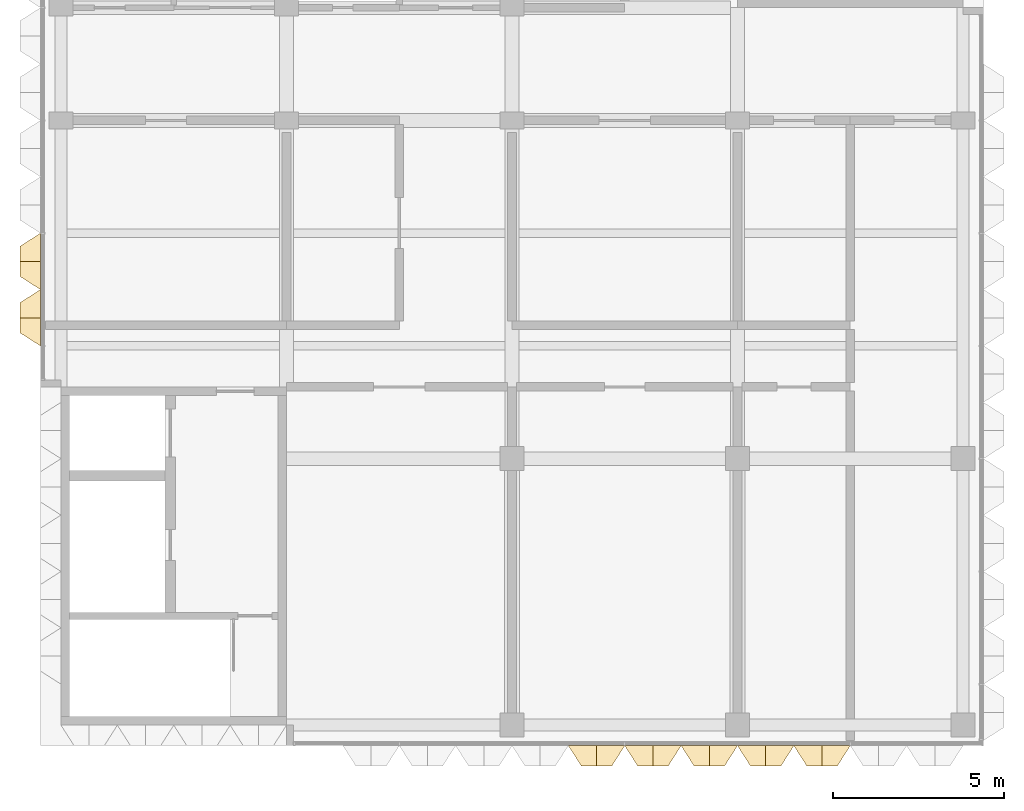
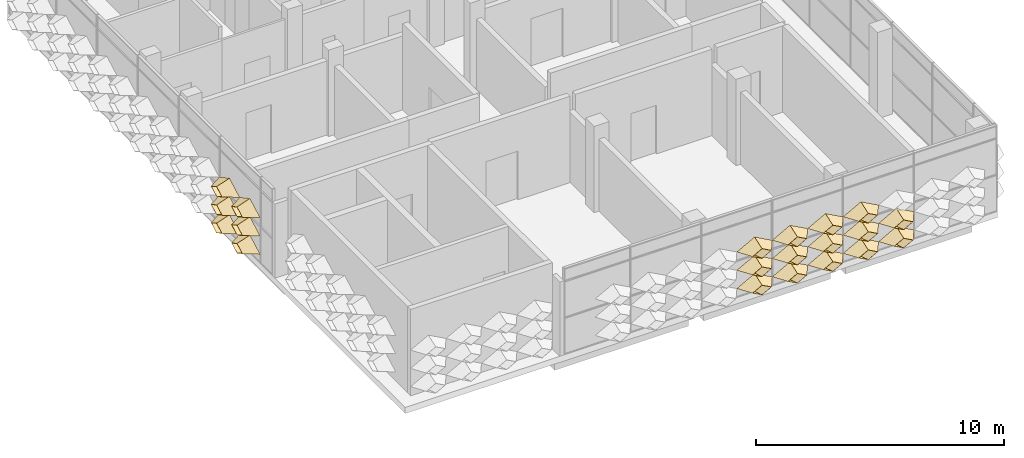
# One storey, part 13 of 21: 20 coverings.
"""IFC4 building model written with IfcOpenShell, lengths in metres."""

from ifc_helpers import new_model, entity, si_unit, direction, frame, origin, place, context, subcontext, project, spatial, material, layer, layer_set, type_object, element, save


model = new_model("IFC4")

# Units and contexts
model_context = context("Model", 3, precision=1e-05, world=origin(), true_north=direction((0.0, 1.0)))
body_context = subcontext(model_context, "Body", "Model", "MODEL_VIEW")
ifc_project = project(units=[si_unit("LENGTHUNIT", "METRE"), si_unit("AREAUNIT", "SQUARE_METRE"), si_unit("VOLUMEUNIT", "CUBIC_METRE"), si_unit("PLANEANGLEUNIT", "RADIAN"), si_unit("MASSUNIT", "GRAM", prefix="KILO")], contexts=[model_context])

# Site, building, storey
site_placement = place(None, origin())
site = spatial("IfcSite", under=ifc_project, at=site_placement, CompositionType="ELEMENT")
building_placement = place(site_placement, origin())
building = spatial("IfcBuilding", under=site, at=building_placement, Name="Lantern Court Research Institute", CompositionType="ELEMENT")
storey_placement = place(building_placement, frame((0.0, 0.0, 41.39990234375)))
storey = spatial("IfcBuildingStorey", under=building, at=storey_placement, Name="L09", CompositionType="ELEMENT", Elevation=41.39990234375)

# Coverings
ifc_material = material(Name="Anodised aluminium", Category="aluminium")
ifc_layer = layer(ifc_material, 0.01611328125)
ifc_layer_set = layer_set([ifc_layer], Name="Anodised aluminium")
covering_type = type_object("IfcCoveringType", Name="Fin cassette 1650 x 900 x 600 aluminium", PredefinedType="CLADDING", material=ifc_layer_set)
covering_1_placement = place(storey_placement, frame((68.47509765625, -8.39990234375, 0.4501953125), z_axis=(0.0, -1.0, 0.0), x_axis=(1.0, 0.0, 0.0)))
cartesian_point_1 = entity("IfcCartesianPoint", [0.824951171875, 0.0])
cartesian_point_2 = entity("IfcCartesianPoint", [0.79150390625, 0.0])
cartesian_point_3 = entity("IfcCartesianPoint", [0.44189453125, 0.0])
cartesian_point_4 = entity("IfcCartesianPoint", [0.43359375, 0.0])
element("IfcCovering", 1, at=covering_1_placement, inside=storey, type_object=covering_type, Name="Fin cassette V5S-L09 1.42", PredefinedType="CLADDING", context=body_context, shape_type="SweptSolid", body=[
    entity("IfcExtrudedAreaSolidTapered", entity("IfcArbitraryProfileDefWithVoids", "AREA", None, entity("IfcPolyline", [cartesian_point_1, entity("IfcCartesianPoint", [0.0, 0.449951171875]), entity("IfcCartesianPoint", [-0.824951171875, 0.0]), entity("IfcCartesianPoint", [0.0, -0.449951171875]), cartesian_point_1]), [entity("IfcPolyline", [cartesian_point_2, entity("IfcCartesianPoint", [0.0, 0.431884765625]), entity("IfcCartesianPoint", [-0.79150390625, 0.0]), entity("IfcCartesianPoint", [0.0, -0.431884765625]), cartesian_point_2])]), entity("IfcAxis2Placement3D", entity("IfcCartesianPoint", [0.0, 0.0, 0.0])), entity("IfcDirection", [0.0, 0.0, 1.0]), 0.60009765625, entity("IfcArbitraryProfileDefWithVoids", "AREA", None, entity("IfcPolyline", [cartesian_point_3, entity("IfcCartesianPoint", [0.0, 0.240966796875]), entity("IfcCartesianPoint", [-0.44189453125, 0.0]), entity("IfcCartesianPoint", [0.0, -0.240966796875]), cartesian_point_3]), [entity("IfcPolyline", [cartesian_point_4, entity("IfcCartesianPoint", [0.0, 0.236572265625]), entity("IfcCartesianPoint", [-0.43359375, 0.0]), entity("IfcCartesianPoint", [0.0, -0.236572265625]), cartesian_point_4])])),
])
covering_2_placement = place(storey_placement, frame((70.125, -8.39990234375, 0.4501953125), z_axis=(0.0, -1.0, 0.0), x_axis=(1.0, 0.0, 0.0)))
cartesian_point_5 = entity("IfcCartesianPoint", [0.824951171875, 0.0])
cartesian_point_6 = entity("IfcCartesianPoint", [0.79150390625, 0.0])
cartesian_point_7 = entity("IfcCartesianPoint", [0.44189453125, 0.0])
cartesian_point_8 = entity("IfcCartesianPoint", [0.43359375, 0.0])
element("IfcCovering", 2, at=covering_2_placement, inside=storey, type_object=covering_type, Name="Fin cassette V5S-L09 1.43", PredefinedType="CLADDING", context=body_context, shape_type="SweptSolid", body=[
    entity("IfcExtrudedAreaSolidTapered", entity("IfcArbitraryProfileDefWithVoids", "AREA", None, entity("IfcPolyline", [cartesian_point_5, entity("IfcCartesianPoint", [0.0, 0.449951171875]), entity("IfcCartesianPoint", [-0.824951171875, 0.0]), entity("IfcCartesianPoint", [0.0, -0.449951171875]), cartesian_point_5]), [entity("IfcPolyline", [cartesian_point_6, entity("IfcCartesianPoint", [0.0, 0.431884765625]), entity("IfcCartesianPoint", [-0.79150390625, 0.0]), entity("IfcCartesianPoint", [0.0, -0.431884765625]), cartesian_point_6])]), entity("IfcAxis2Placement3D", entity("IfcCartesianPoint", [0.0, 0.0, 0.0])), entity("IfcDirection", [0.0, 0.0, 1.0]), 0.60009765625, entity("IfcArbitraryProfileDefWithVoids", "AREA", None, entity("IfcPolyline", [cartesian_point_7, entity("IfcCartesianPoint", [0.0, 0.240966796875]), entity("IfcCartesianPoint", [-0.44189453125, 0.0]), entity("IfcCartesianPoint", [0.0, -0.240966796875]), cartesian_point_7]), [entity("IfcPolyline", [cartesian_point_8, entity("IfcCartesianPoint", [0.0, 0.236572265625]), entity("IfcCartesianPoint", [-0.43359375, 0.0]), entity("IfcCartesianPoint", [0.0, -0.236572265625]), cartesian_point_8])])),
])
covering_3_placement = place(storey_placement, frame((71.77490234375, -8.39990234375, 0.4501953125), z_axis=(0.0, -1.0, 0.0), x_axis=(1.0, 0.0, 0.0)))
cartesian_point_9 = entity("IfcCartesianPoint", [0.824951171875, 0.0])
cartesian_point_10 = entity("IfcCartesianPoint", [0.79150390625, 0.0])
cartesian_point_11 = entity("IfcCartesianPoint", [0.44189453125, 0.0])
cartesian_point_12 = entity("IfcCartesianPoint", [0.43359375, 0.0])
element("IfcCovering", 3, at=covering_3_placement, inside=storey, type_object=covering_type, Name="Fin cassette V5S-L09 1.44", PredefinedType="CLADDING", context=body_context, shape_type="SweptSolid", body=[
    entity("IfcExtrudedAreaSolidTapered", entity("IfcArbitraryProfileDefWithVoids", "AREA", None, entity("IfcPolyline", [cartesian_point_9, entity("IfcCartesianPoint", [0.0, 0.449951171875]), entity("IfcCartesianPoint", [-0.824951171875, 0.0]), entity("IfcCartesianPoint", [0.0, -0.449951171875]), cartesian_point_9]), [entity("IfcPolyline", [cartesian_point_10, entity("IfcCartesianPoint", [0.0, 0.431884765625]), entity("IfcCartesianPoint", [-0.79150390625, 0.0]), entity("IfcCartesianPoint", [0.0, -0.431884765625]), cartesian_point_10])]), entity("IfcAxis2Placement3D", entity("IfcCartesianPoint", [0.0, 0.0, 0.0])), entity("IfcDirection", [0.0, 0.0, 1.0]), 0.60009765625, entity("IfcArbitraryProfileDefWithVoids", "AREA", None, entity("IfcPolyline", [cartesian_point_11, entity("IfcCartesianPoint", [0.0, 0.240966796875]), entity("IfcCartesianPoint", [-0.44189453125, 0.0]), entity("IfcCartesianPoint", [0.0, -0.240966796875]), cartesian_point_11]), [entity("IfcPolyline", [cartesian_point_12, entity("IfcCartesianPoint", [0.0, 0.236572265625]), entity("IfcCartesianPoint", [-0.43359375, 0.0]), entity("IfcCartesianPoint", [0.0, -0.236572265625]), cartesian_point_12])])),
])
covering_4_placement = place(storey_placement, frame((73.425048828125, -8.39990234375, 0.4501953125), z_axis=(0.0, -1.0, 0.0), x_axis=(1.0, 0.0, 0.0)))
cartesian_point_13 = entity("IfcCartesianPoint", [0.824951171875, 0.0])
cartesian_point_14 = entity("IfcCartesianPoint", [0.79150390625, 0.0])
cartesian_point_15 = entity("IfcCartesianPoint", [0.44189453125, 0.0])
cartesian_point_16 = entity("IfcCartesianPoint", [0.43359375, 0.0])
element("IfcCovering", 4, at=covering_4_placement, inside=storey, type_object=covering_type, Name="Fin cassette V5S-L09 1.45", PredefinedType="CLADDING", context=body_context, shape_type="SweptSolid", body=[
    entity("IfcExtrudedAreaSolidTapered", entity("IfcArbitraryProfileDefWithVoids", "AREA", None, entity("IfcPolyline", [cartesian_point_13, entity("IfcCartesianPoint", [0.0, 0.449951171875]), entity("IfcCartesianPoint", [-0.824951171875, 0.0]), entity("IfcCartesianPoint", [0.0, -0.449951171875]), cartesian_point_13]), [entity("IfcPolyline", [cartesian_point_14, entity("IfcCartesianPoint", [0.0, 0.431884765625]), entity("IfcCartesianPoint", [-0.79150390625, 0.0]), entity("IfcCartesianPoint", [0.0, -0.431884765625]), cartesian_point_14])]), entity("IfcAxis2Placement3D", entity("IfcCartesianPoint", [0.0, 0.0, 0.0])), entity("IfcDirection", [0.0, 0.0, 1.0]), 0.60009765625, entity("IfcArbitraryProfileDefWithVoids", "AREA", None, entity("IfcPolyline", [cartesian_point_15, entity("IfcCartesianPoint", [0.0, 0.240966796875]), entity("IfcCartesianPoint", [-0.44189453125, 0.0]), entity("IfcCartesianPoint", [0.0, -0.240966796875]), cartesian_point_15]), [entity("IfcPolyline", [cartesian_point_16, entity("IfcCartesianPoint", [0.0, 0.236572265625]), entity("IfcCartesianPoint", [-0.43359375, 0.0]), entity("IfcCartesianPoint", [0.0, -0.236572265625]), cartesian_point_16])])),
])
covering_5_placement = place(storey_placement, frame((75.074951171875, -8.39990234375, 0.4501953125), z_axis=(0.0, -1.0, 0.0), x_axis=(1.0, 0.0, 0.0)))
cartesian_point_17 = entity("IfcCartesianPoint", [0.824951171875, 0.0])
cartesian_point_18 = entity("IfcCartesianPoint", [0.79150390625, 0.0])
cartesian_point_19 = entity("IfcCartesianPoint", [0.44189453125, 0.0])
cartesian_point_20 = entity("IfcCartesianPoint", [0.43359375, 0.0])
element("IfcCovering", 5, at=covering_5_placement, inside=storey, type_object=covering_type, Name="Fin cassette V5S-L09 1.46", PredefinedType="CLADDING", context=body_context, shape_type="SweptSolid", body=[
    entity("IfcExtrudedAreaSolidTapered", entity("IfcArbitraryProfileDefWithVoids", "AREA", None, entity("IfcPolyline", [cartesian_point_17, entity("IfcCartesianPoint", [0.0, 0.449951171875]), entity("IfcCartesianPoint", [-0.824951171875, 0.0]), entity("IfcCartesianPoint", [0.0, -0.449951171875]), cartesian_point_17]), [entity("IfcPolyline", [cartesian_point_18, entity("IfcCartesianPoint", [0.0, 0.431884765625]), entity("IfcCartesianPoint", [-0.79150390625, 0.0]), entity("IfcCartesianPoint", [0.0, -0.431884765625]), cartesian_point_18])]), entity("IfcAxis2Placement3D", entity("IfcCartesianPoint", [0.0, 0.0, 0.0])), entity("IfcDirection", [0.0, 0.0, 1.0]), 0.60009765625, entity("IfcArbitraryProfileDefWithVoids", "AREA", None, entity("IfcPolyline", [cartesian_point_19, entity("IfcCartesianPoint", [0.0, 0.240966796875]), entity("IfcCartesianPoint", [-0.44189453125, 0.0]), entity("IfcCartesianPoint", [0.0, -0.240966796875]), cartesian_point_19]), [entity("IfcPolyline", [cartesian_point_20, entity("IfcCartesianPoint", [0.0, 0.236572265625]), entity("IfcCartesianPoint", [-0.43359375, 0.0]), entity("IfcCartesianPoint", [0.0, -0.236572265625]), cartesian_point_20])])),
])
covering_6_placement = place(storey_placement, frame((68.47509765625, -8.39990234375, 1.35009765625), z_axis=(0.0, -1.0, 0.0), x_axis=(1.0, 0.0, 0.0)))
cartesian_point_21 = entity("IfcCartesianPoint", [0.824951171875, 0.0])
cartesian_point_22 = entity("IfcCartesianPoint", [0.79150390625, 0.0])
cartesian_point_23 = entity("IfcCartesianPoint", [0.44189453125, 0.0])
cartesian_point_24 = entity("IfcCartesianPoint", [0.43359375, 0.0])
element("IfcCovering", 6, at=covering_6_placement, inside=storey, type_object=covering_type, Name="Fin cassette V5S-L09 2.42", PredefinedType="CLADDING", context=body_context, shape_type="SweptSolid", body=[
    entity("IfcExtrudedAreaSolidTapered", entity("IfcArbitraryProfileDefWithVoids", "AREA", None, entity("IfcPolyline", [cartesian_point_21, entity("IfcCartesianPoint", [0.0, 0.449951171875]), entity("IfcCartesianPoint", [-0.824951171875, 0.0]), entity("IfcCartesianPoint", [0.0, -0.449951171875]), cartesian_point_21]), [entity("IfcPolyline", [cartesian_point_22, entity("IfcCartesianPoint", [0.0, 0.431884765625]), entity("IfcCartesianPoint", [-0.79150390625, 0.0]), entity("IfcCartesianPoint", [0.0, -0.431884765625]), cartesian_point_22])]), entity("IfcAxis2Placement3D", entity("IfcCartesianPoint", [0.0, 0.0, 0.0])), entity("IfcDirection", [0.0, 0.0, 1.0]), 0.60009765625, entity("IfcArbitraryProfileDefWithVoids", "AREA", None, entity("IfcPolyline", [cartesian_point_23, entity("IfcCartesianPoint", [0.0, 0.240966796875]), entity("IfcCartesianPoint", [-0.44189453125, 0.0]), entity("IfcCartesianPoint", [0.0, -0.240966796875]), cartesian_point_23]), [entity("IfcPolyline", [cartesian_point_24, entity("IfcCartesianPoint", [0.0, 0.236572265625]), entity("IfcCartesianPoint", [-0.43359375, 0.0]), entity("IfcCartesianPoint", [0.0, -0.236572265625]), cartesian_point_24])])),
])
covering_7_placement = place(storey_placement, frame((70.125, -8.39990234375, 1.35009765625), z_axis=(0.0, -1.0, 0.0), x_axis=(1.0, 0.0, 0.0)))
cartesian_point_25 = entity("IfcCartesianPoint", [0.824951171875, 0.0])
cartesian_point_26 = entity("IfcCartesianPoint", [0.79150390625, 0.0])
cartesian_point_27 = entity("IfcCartesianPoint", [0.44189453125, 0.0])
cartesian_point_28 = entity("IfcCartesianPoint", [0.43359375, 0.0])
element("IfcCovering", 7, at=covering_7_placement, inside=storey, type_object=covering_type, Name="Fin cassette V5S-L09 2.43", PredefinedType="CLADDING", context=body_context, shape_type="SweptSolid", body=[
    entity("IfcExtrudedAreaSolidTapered", entity("IfcArbitraryProfileDefWithVoids", "AREA", None, entity("IfcPolyline", [cartesian_point_25, entity("IfcCartesianPoint", [0.0, 0.449951171875]), entity("IfcCartesianPoint", [-0.824951171875, 0.0]), entity("IfcCartesianPoint", [0.0, -0.449951171875]), cartesian_point_25]), [entity("IfcPolyline", [cartesian_point_26, entity("IfcCartesianPoint", [0.0, 0.431884765625]), entity("IfcCartesianPoint", [-0.79150390625, 0.0]), entity("IfcCartesianPoint", [0.0, -0.431884765625]), cartesian_point_26])]), entity("IfcAxis2Placement3D", entity("IfcCartesianPoint", [0.0, 0.0, 0.0])), entity("IfcDirection", [0.0, 0.0, 1.0]), 0.60009765625, entity("IfcArbitraryProfileDefWithVoids", "AREA", None, entity("IfcPolyline", [cartesian_point_27, entity("IfcCartesianPoint", [0.0, 0.240966796875]), entity("IfcCartesianPoint", [-0.44189453125, 0.0]), entity("IfcCartesianPoint", [0.0, -0.240966796875]), cartesian_point_27]), [entity("IfcPolyline", [cartesian_point_28, entity("IfcCartesianPoint", [0.0, 0.236572265625]), entity("IfcCartesianPoint", [-0.43359375, 0.0]), entity("IfcCartesianPoint", [0.0, -0.236572265625]), cartesian_point_28])])),
])
covering_8_placement = place(storey_placement, frame((71.77490234375, -8.39990234375, 1.35009765625), z_axis=(0.0, -1.0, 0.0), x_axis=(1.0, 0.0, 0.0)))
cartesian_point_29 = entity("IfcCartesianPoint", [0.824951171875, 0.0])
cartesian_point_30 = entity("IfcCartesianPoint", [0.79150390625, 0.0])
cartesian_point_31 = entity("IfcCartesianPoint", [0.44189453125, 0.0])
cartesian_point_32 = entity("IfcCartesianPoint", [0.43359375, 0.0])
element("IfcCovering", 8, at=covering_8_placement, inside=storey, type_object=covering_type, Name="Fin cassette V5S-L09 2.44", PredefinedType="CLADDING", context=body_context, shape_type="SweptSolid", body=[
    entity("IfcExtrudedAreaSolidTapered", entity("IfcArbitraryProfileDefWithVoids", "AREA", None, entity("IfcPolyline", [cartesian_point_29, entity("IfcCartesianPoint", [0.0, 0.449951171875]), entity("IfcCartesianPoint", [-0.824951171875, 0.0]), entity("IfcCartesianPoint", [0.0, -0.449951171875]), cartesian_point_29]), [entity("IfcPolyline", [cartesian_point_30, entity("IfcCartesianPoint", [0.0, 0.431884765625]), entity("IfcCartesianPoint", [-0.79150390625, 0.0]), entity("IfcCartesianPoint", [0.0, -0.431884765625]), cartesian_point_30])]), entity("IfcAxis2Placement3D", entity("IfcCartesianPoint", [0.0, 0.0, 0.0])), entity("IfcDirection", [0.0, 0.0, 1.0]), 0.60009765625, entity("IfcArbitraryProfileDefWithVoids", "AREA", None, entity("IfcPolyline", [cartesian_point_31, entity("IfcCartesianPoint", [0.0, 0.240966796875]), entity("IfcCartesianPoint", [-0.44189453125, 0.0]), entity("IfcCartesianPoint", [0.0, -0.240966796875]), cartesian_point_31]), [entity("IfcPolyline", [cartesian_point_32, entity("IfcCartesianPoint", [0.0, 0.236572265625]), entity("IfcCartesianPoint", [-0.43359375, 0.0]), entity("IfcCartesianPoint", [0.0, -0.236572265625]), cartesian_point_32])])),
])
covering_9_placement = place(storey_placement, frame((73.425048828125, -8.39990234375, 1.35009765625), z_axis=(0.0, -1.0, 0.0), x_axis=(1.0, 0.0, 0.0)))
cartesian_point_33 = entity("IfcCartesianPoint", [0.824951171875, 0.0])
cartesian_point_34 = entity("IfcCartesianPoint", [0.79150390625, 0.0])
cartesian_point_35 = entity("IfcCartesianPoint", [0.44189453125, 0.0])
cartesian_point_36 = entity("IfcCartesianPoint", [0.43359375, 0.0])
element("IfcCovering", 9, at=covering_9_placement, inside=storey, type_object=covering_type, Name="Fin cassette V5S-L09 2.45", PredefinedType="CLADDING", context=body_context, shape_type="SweptSolid", body=[
    entity("IfcExtrudedAreaSolidTapered", entity("IfcArbitraryProfileDefWithVoids", "AREA", None, entity("IfcPolyline", [cartesian_point_33, entity("IfcCartesianPoint", [0.0, 0.449951171875]), entity("IfcCartesianPoint", [-0.824951171875, 0.0]), entity("IfcCartesianPoint", [0.0, -0.449951171875]), cartesian_point_33]), [entity("IfcPolyline", [cartesian_point_34, entity("IfcCartesianPoint", [0.0, 0.431884765625]), entity("IfcCartesianPoint", [-0.79150390625, 0.0]), entity("IfcCartesianPoint", [0.0, -0.431884765625]), cartesian_point_34])]), entity("IfcAxis2Placement3D", entity("IfcCartesianPoint", [0.0, 0.0, 0.0])), entity("IfcDirection", [0.0, 0.0, 1.0]), 0.60009765625, entity("IfcArbitraryProfileDefWithVoids", "AREA", None, entity("IfcPolyline", [cartesian_point_35, entity("IfcCartesianPoint", [0.0, 0.240966796875]), entity("IfcCartesianPoint", [-0.44189453125, 0.0]), entity("IfcCartesianPoint", [0.0, -0.240966796875]), cartesian_point_35]), [entity("IfcPolyline", [cartesian_point_36, entity("IfcCartesianPoint", [0.0, 0.236572265625]), entity("IfcCartesianPoint", [-0.43359375, 0.0]), entity("IfcCartesianPoint", [0.0, -0.236572265625]), cartesian_point_36])])),
])
covering_10_placement = place(storey_placement, frame((75.074951171875, -8.39990234375, 1.35009765625), z_axis=(0.0, -1.0, 0.0), x_axis=(1.0, 0.0, 0.0)))
cartesian_point_37 = entity("IfcCartesianPoint", [0.824951171875, 0.0])
cartesian_point_38 = entity("IfcCartesianPoint", [0.79150390625, 0.0])
cartesian_point_39 = entity("IfcCartesianPoint", [0.44189453125, 0.0])
cartesian_point_40 = entity("IfcCartesianPoint", [0.43359375, 0.0])
element("IfcCovering", 10, at=covering_10_placement, inside=storey, type_object=covering_type, Name="Fin cassette V5S-L09 2.46", PredefinedType="CLADDING", context=body_context, shape_type="SweptSolid", body=[
    entity("IfcExtrudedAreaSolidTapered", entity("IfcArbitraryProfileDefWithVoids", "AREA", None, entity("IfcPolyline", [cartesian_point_37, entity("IfcCartesianPoint", [0.0, 0.449951171875]), entity("IfcCartesianPoint", [-0.824951171875, 0.0]), entity("IfcCartesianPoint", [0.0, -0.449951171875]), cartesian_point_37]), [entity("IfcPolyline", [cartesian_point_38, entity("IfcCartesianPoint", [0.0, 0.431884765625]), entity("IfcCartesianPoint", [-0.79150390625, 0.0]), entity("IfcCartesianPoint", [0.0, -0.431884765625]), cartesian_point_38])]), entity("IfcAxis2Placement3D", entity("IfcCartesianPoint", [0.0, 0.0, 0.0])), entity("IfcDirection", [0.0, 0.0, 1.0]), 0.60009765625, entity("IfcArbitraryProfileDefWithVoids", "AREA", None, entity("IfcPolyline", [cartesian_point_39, entity("IfcCartesianPoint", [0.0, 0.240966796875]), entity("IfcCartesianPoint", [-0.44189453125, 0.0]), entity("IfcCartesianPoint", [0.0, -0.240966796875]), cartesian_point_39]), [entity("IfcPolyline", [cartesian_point_40, entity("IfcCartesianPoint", [0.0, 0.236572265625]), entity("IfcCartesianPoint", [-0.43359375, 0.0]), entity("IfcCartesianPoint", [0.0, -0.236572265625]), cartesian_point_40])])),
])
covering_11_placement = place(storey_placement, frame((68.47509765625, -8.39990234375, 2.25), z_axis=(0.0, -1.0, 0.0), x_axis=(1.0, 0.0, 0.0)))
cartesian_point_41 = entity("IfcCartesianPoint", [0.824951171875, 0.0])
cartesian_point_42 = entity("IfcCartesianPoint", [0.79150390625, 0.0])
cartesian_point_43 = entity("IfcCartesianPoint", [0.44189453125, 0.0])
cartesian_point_44 = entity("IfcCartesianPoint", [0.43359375, 0.0])
element("IfcCovering", 11, at=covering_11_placement, inside=storey, type_object=covering_type, Name="Fin cassette V5S-L09 3.42", PredefinedType="CLADDING", context=body_context, shape_type="SweptSolid", body=[
    entity("IfcExtrudedAreaSolidTapered", entity("IfcArbitraryProfileDefWithVoids", "AREA", None, entity("IfcPolyline", [cartesian_point_41, entity("IfcCartesianPoint", [0.0, 0.449951171875]), entity("IfcCartesianPoint", [-0.824951171875, 0.0]), entity("IfcCartesianPoint", [0.0, -0.449951171875]), cartesian_point_41]), [entity("IfcPolyline", [cartesian_point_42, entity("IfcCartesianPoint", [0.0, 0.431884765625]), entity("IfcCartesianPoint", [-0.79150390625, 0.0]), entity("IfcCartesianPoint", [0.0, -0.431884765625]), cartesian_point_42])]), entity("IfcAxis2Placement3D", entity("IfcCartesianPoint", [0.0, 0.0, 0.0])), entity("IfcDirection", [0.0, 0.0, 1.0]), 0.60009765625, entity("IfcArbitraryProfileDefWithVoids", "AREA", None, entity("IfcPolyline", [cartesian_point_43, entity("IfcCartesianPoint", [0.0, 0.240966796875]), entity("IfcCartesianPoint", [-0.44189453125, 0.0]), entity("IfcCartesianPoint", [0.0, -0.240966796875]), cartesian_point_43]), [entity("IfcPolyline", [cartesian_point_44, entity("IfcCartesianPoint", [0.0, 0.236572265625]), entity("IfcCartesianPoint", [-0.43359375, 0.0]), entity("IfcCartesianPoint", [0.0, -0.236572265625]), cartesian_point_44])])),
])
covering_12_placement = place(storey_placement, frame((70.125, -8.39990234375, 2.25), z_axis=(0.0, -1.0, 0.0), x_axis=(1.0, 0.0, 0.0)))
cartesian_point_45 = entity("IfcCartesianPoint", [0.824951171875, 0.0])
cartesian_point_46 = entity("IfcCartesianPoint", [0.79150390625, 0.0])
cartesian_point_47 = entity("IfcCartesianPoint", [0.44189453125, 0.0])
cartesian_point_48 = entity("IfcCartesianPoint", [0.43359375, 0.0])
element("IfcCovering", 12, at=covering_12_placement, inside=storey, type_object=covering_type, Name="Fin cassette V5S-L09 3.43", PredefinedType="CLADDING", context=body_context, shape_type="SweptSolid", body=[
    entity("IfcExtrudedAreaSolidTapered", entity("IfcArbitraryProfileDefWithVoids", "AREA", None, entity("IfcPolyline", [cartesian_point_45, entity("IfcCartesianPoint", [0.0, 0.449951171875]), entity("IfcCartesianPoint", [-0.824951171875, 0.0]), entity("IfcCartesianPoint", [0.0, -0.449951171875]), cartesian_point_45]), [entity("IfcPolyline", [cartesian_point_46, entity("IfcCartesianPoint", [0.0, 0.431884765625]), entity("IfcCartesianPoint", [-0.79150390625, 0.0]), entity("IfcCartesianPoint", [0.0, -0.431884765625]), cartesian_point_46])]), entity("IfcAxis2Placement3D", entity("IfcCartesianPoint", [0.0, 0.0, 0.0])), entity("IfcDirection", [0.0, 0.0, 1.0]), 0.60009765625, entity("IfcArbitraryProfileDefWithVoids", "AREA", None, entity("IfcPolyline", [cartesian_point_47, entity("IfcCartesianPoint", [0.0, 0.240966796875]), entity("IfcCartesianPoint", [-0.44189453125, 0.0]), entity("IfcCartesianPoint", [0.0, -0.240966796875]), cartesian_point_47]), [entity("IfcPolyline", [cartesian_point_48, entity("IfcCartesianPoint", [0.0, 0.236572265625]), entity("IfcCartesianPoint", [-0.43359375, 0.0]), entity("IfcCartesianPoint", [0.0, -0.236572265625]), cartesian_point_48])])),
])
covering_13_placement = place(storey_placement, frame((71.77490234375, -8.39990234375, 2.25), z_axis=(0.0, -1.0, 0.0), x_axis=(1.0, 0.0, 0.0)))
cartesian_point_49 = entity("IfcCartesianPoint", [0.824951171875, 0.0])
cartesian_point_50 = entity("IfcCartesianPoint", [0.79150390625, 0.0])
cartesian_point_51 = entity("IfcCartesianPoint", [0.44189453125, 0.0])
cartesian_point_52 = entity("IfcCartesianPoint", [0.43359375, 0.0])
element("IfcCovering", 13, at=covering_13_placement, inside=storey, type_object=covering_type, Name="Fin cassette V5S-L09 3.44", PredefinedType="CLADDING", context=body_context, shape_type="SweptSolid", body=[
    entity("IfcExtrudedAreaSolidTapered", entity("IfcArbitraryProfileDefWithVoids", "AREA", None, entity("IfcPolyline", [cartesian_point_49, entity("IfcCartesianPoint", [0.0, 0.449951171875]), entity("IfcCartesianPoint", [-0.824951171875, 0.0]), entity("IfcCartesianPoint", [0.0, -0.449951171875]), cartesian_point_49]), [entity("IfcPolyline", [cartesian_point_50, entity("IfcCartesianPoint", [0.0, 0.431884765625]), entity("IfcCartesianPoint", [-0.79150390625, 0.0]), entity("IfcCartesianPoint", [0.0, -0.431884765625]), cartesian_point_50])]), entity("IfcAxis2Placement3D", entity("IfcCartesianPoint", [0.0, 0.0, 0.0])), entity("IfcDirection", [0.0, 0.0, 1.0]), 0.60009765625, entity("IfcArbitraryProfileDefWithVoids", "AREA", None, entity("IfcPolyline", [cartesian_point_51, entity("IfcCartesianPoint", [0.0, 0.240966796875]), entity("IfcCartesianPoint", [-0.44189453125, 0.0]), entity("IfcCartesianPoint", [0.0, -0.240966796875]), cartesian_point_51]), [entity("IfcPolyline", [cartesian_point_52, entity("IfcCartesianPoint", [0.0, 0.236572265625]), entity("IfcCartesianPoint", [-0.43359375, 0.0]), entity("IfcCartesianPoint", [0.0, -0.236572265625]), cartesian_point_52])])),
])
covering_14_placement = place(storey_placement, frame((73.425048828125, -8.39990234375, 2.25), z_axis=(0.0, -1.0, 0.0), x_axis=(1.0, 0.0, 0.0)))
cartesian_point_53 = entity("IfcCartesianPoint", [0.824951171875, 0.0])
cartesian_point_54 = entity("IfcCartesianPoint", [0.79150390625, 0.0])
cartesian_point_55 = entity("IfcCartesianPoint", [0.44189453125, 0.0])
cartesian_point_56 = entity("IfcCartesianPoint", [0.43359375, 0.0])
element("IfcCovering", 14, at=covering_14_placement, inside=storey, type_object=covering_type, Name="Fin cassette V5S-L09 3.45", PredefinedType="CLADDING", context=body_context, shape_type="SweptSolid", body=[
    entity("IfcExtrudedAreaSolidTapered", entity("IfcArbitraryProfileDefWithVoids", "AREA", None, entity("IfcPolyline", [cartesian_point_53, entity("IfcCartesianPoint", [0.0, 0.449951171875]), entity("IfcCartesianPoint", [-0.824951171875, 0.0]), entity("IfcCartesianPoint", [0.0, -0.449951171875]), cartesian_point_53]), [entity("IfcPolyline", [cartesian_point_54, entity("IfcCartesianPoint", [0.0, 0.431884765625]), entity("IfcCartesianPoint", [-0.79150390625, 0.0]), entity("IfcCartesianPoint", [0.0, -0.431884765625]), cartesian_point_54])]), entity("IfcAxis2Placement3D", entity("IfcCartesianPoint", [0.0, 0.0, 0.0])), entity("IfcDirection", [0.0, 0.0, 1.0]), 0.60009765625, entity("IfcArbitraryProfileDefWithVoids", "AREA", None, entity("IfcPolyline", [cartesian_point_55, entity("IfcCartesianPoint", [0.0, 0.240966796875]), entity("IfcCartesianPoint", [-0.44189453125, 0.0]), entity("IfcCartesianPoint", [0.0, -0.240966796875]), cartesian_point_55]), [entity("IfcPolyline", [cartesian_point_56, entity("IfcCartesianPoint", [0.0, 0.236572265625]), entity("IfcCartesianPoint", [-0.43359375, 0.0]), entity("IfcCartesianPoint", [0.0, -0.236572265625]), cartesian_point_56])])),
])
covering_15_placement = place(storey_placement, frame((52.199951171875, 4.125, 0.4501953125), z_axis=(-1.0, 0.0, 0.0), x_axis=(0.0, -1.0, 0.0)))
cartesian_point_57 = entity("IfcCartesianPoint", [0.824951171875, 0.0])
cartesian_point_58 = entity("IfcCartesianPoint", [0.79150390625, 0.0])
cartesian_point_59 = entity("IfcCartesianPoint", [0.44189453125, 0.0])
cartesian_point_60 = entity("IfcCartesianPoint", [0.43359375, 0.0])
element("IfcCovering", 15, at=covering_15_placement, inside=storey, type_object=covering_type, Name="Fin cassette V5W-L09 1.3", PredefinedType="CLADDING", context=body_context, shape_type="SweptSolid", body=[
    entity("IfcExtrudedAreaSolidTapered", entity("IfcArbitraryProfileDefWithVoids", "AREA", None, entity("IfcPolyline", [cartesian_point_57, entity("IfcCartesianPoint", [0.0, 0.449951171875]), entity("IfcCartesianPoint", [-0.824951171875, 0.0]), entity("IfcCartesianPoint", [0.0, -0.449951171875]), cartesian_point_57]), [entity("IfcPolyline", [cartesian_point_58, entity("IfcCartesianPoint", [0.0, 0.431884765625]), entity("IfcCartesianPoint", [-0.79150390625, 0.0]), entity("IfcCartesianPoint", [0.0, -0.431884765625]), cartesian_point_58])]), entity("IfcAxis2Placement3D", entity("IfcCartesianPoint", [0.0, 0.0, 0.0])), entity("IfcDirection", [0.0, 0.0, 1.0]), 0.60009765625, entity("IfcArbitraryProfileDefWithVoids", "AREA", None, entity("IfcPolyline", [cartesian_point_59, entity("IfcCartesianPoint", [0.0, 0.240966796875]), entity("IfcCartesianPoint", [-0.44189453125, 0.0]), entity("IfcCartesianPoint", [0.0, -0.240966796875]), cartesian_point_59]), [entity("IfcPolyline", [cartesian_point_60, entity("IfcCartesianPoint", [0.0, 0.236572265625]), entity("IfcCartesianPoint", [-0.43359375, 0.0]), entity("IfcCartesianPoint", [0.0, -0.236572265625]), cartesian_point_60])])),
])
covering_16_placement = place(storey_placement, frame((52.199951171875, 5.77490234375, 0.4501953125), z_axis=(-1.0, 0.0, 0.0), x_axis=(0.0, -1.0, 0.0)))
cartesian_point_61 = entity("IfcCartesianPoint", [0.824951171875, 0.0])
cartesian_point_62 = entity("IfcCartesianPoint", [0.79150390625, 0.0])
cartesian_point_63 = entity("IfcCartesianPoint", [0.44189453125, 0.0])
cartesian_point_64 = entity("IfcCartesianPoint", [0.43359375, 0.0])
element("IfcCovering", 16, at=covering_16_placement, inside=storey, type_object=covering_type, Name="Fin cassette V5W-L09 1.4", PredefinedType="CLADDING", context=body_context, shape_type="SweptSolid", body=[
    entity("IfcExtrudedAreaSolidTapered", entity("IfcArbitraryProfileDefWithVoids", "AREA", None, entity("IfcPolyline", [cartesian_point_61, entity("IfcCartesianPoint", [0.0, 0.449951171875]), entity("IfcCartesianPoint", [-0.824951171875, 0.0]), entity("IfcCartesianPoint", [0.0, -0.449951171875]), cartesian_point_61]), [entity("IfcPolyline", [cartesian_point_62, entity("IfcCartesianPoint", [0.0, 0.431884765625]), entity("IfcCartesianPoint", [-0.79150390625, 0.0]), entity("IfcCartesianPoint", [0.0, -0.431884765625]), cartesian_point_62])]), entity("IfcAxis2Placement3D", entity("IfcCartesianPoint", [0.0, 0.0, 0.0])), entity("IfcDirection", [0.0, 0.0, 1.0]), 0.60009765625, entity("IfcArbitraryProfileDefWithVoids", "AREA", None, entity("IfcPolyline", [cartesian_point_63, entity("IfcCartesianPoint", [0.0, 0.240966796875]), entity("IfcCartesianPoint", [-0.44189453125, 0.0]), entity("IfcCartesianPoint", [0.0, -0.240966796875]), cartesian_point_63]), [entity("IfcPolyline", [cartesian_point_64, entity("IfcCartesianPoint", [0.0, 0.236572265625]), entity("IfcCartesianPoint", [-0.43359375, 0.0]), entity("IfcCartesianPoint", [0.0, -0.236572265625]), cartesian_point_64])])),
])
covering_17_placement = place(storey_placement, frame((52.199951171875, 4.125, 1.35009765625), z_axis=(-1.0, 0.0, 0.0), x_axis=(0.0, -1.0, 0.0)))
cartesian_point_65 = entity("IfcCartesianPoint", [0.824951171875, 0.0])
cartesian_point_66 = entity("IfcCartesianPoint", [0.79150390625, 0.0])
cartesian_point_67 = entity("IfcCartesianPoint", [0.44189453125, 0.0])
cartesian_point_68 = entity("IfcCartesianPoint", [0.43359375, 0.0])
element("IfcCovering", 17, at=covering_17_placement, inside=storey, type_object=covering_type, Name="Fin cassette V5W-L09 2.3", PredefinedType="CLADDING", context=body_context, shape_type="SweptSolid", body=[
    entity("IfcExtrudedAreaSolidTapered", entity("IfcArbitraryProfileDefWithVoids", "AREA", None, entity("IfcPolyline", [cartesian_point_65, entity("IfcCartesianPoint", [0.0, 0.449951171875]), entity("IfcCartesianPoint", [-0.824951171875, 0.0]), entity("IfcCartesianPoint", [0.0, -0.449951171875]), cartesian_point_65]), [entity("IfcPolyline", [cartesian_point_66, entity("IfcCartesianPoint", [0.0, 0.431884765625]), entity("IfcCartesianPoint", [-0.79150390625, 0.0]), entity("IfcCartesianPoint", [0.0, -0.431884765625]), cartesian_point_66])]), entity("IfcAxis2Placement3D", entity("IfcCartesianPoint", [0.0, 0.0, 0.0])), entity("IfcDirection", [0.0, 0.0, 1.0]), 0.60009765625, entity("IfcArbitraryProfileDefWithVoids", "AREA", None, entity("IfcPolyline", [cartesian_point_67, entity("IfcCartesianPoint", [0.0, 0.240966796875]), entity("IfcCartesianPoint", [-0.44189453125, 0.0]), entity("IfcCartesianPoint", [0.0, -0.240966796875]), cartesian_point_67]), [entity("IfcPolyline", [cartesian_point_68, entity("IfcCartesianPoint", [0.0, 0.236572265625]), entity("IfcCartesianPoint", [-0.43359375, 0.0]), entity("IfcCartesianPoint", [0.0, -0.236572265625]), cartesian_point_68])])),
])
covering_18_placement = place(storey_placement, frame((52.199951171875, 5.77490234375, 1.35009765625), z_axis=(-1.0, 0.0, 0.0), x_axis=(0.0, -1.0, 0.0)))
cartesian_point_69 = entity("IfcCartesianPoint", [0.824951171875, 0.0])
cartesian_point_70 = entity("IfcCartesianPoint", [0.79150390625, 0.0])
cartesian_point_71 = entity("IfcCartesianPoint", [0.44189453125, 0.0])
cartesian_point_72 = entity("IfcCartesianPoint", [0.43359375, 0.0])
element("IfcCovering", 18, at=covering_18_placement, inside=storey, type_object=covering_type, Name="Fin cassette V5W-L09 2.4", PredefinedType="CLADDING", context=body_context, shape_type="SweptSolid", body=[
    entity("IfcExtrudedAreaSolidTapered", entity("IfcArbitraryProfileDefWithVoids", "AREA", None, entity("IfcPolyline", [cartesian_point_69, entity("IfcCartesianPoint", [0.0, 0.449951171875]), entity("IfcCartesianPoint", [-0.824951171875, 0.0]), entity("IfcCartesianPoint", [0.0, -0.449951171875]), cartesian_point_69]), [entity("IfcPolyline", [cartesian_point_70, entity("IfcCartesianPoint", [0.0, 0.431884765625]), entity("IfcCartesianPoint", [-0.79150390625, 0.0]), entity("IfcCartesianPoint", [0.0, -0.431884765625]), cartesian_point_70])]), entity("IfcAxis2Placement3D", entity("IfcCartesianPoint", [0.0, 0.0, 0.0])), entity("IfcDirection", [0.0, 0.0, 1.0]), 0.60009765625, entity("IfcArbitraryProfileDefWithVoids", "AREA", None, entity("IfcPolyline", [cartesian_point_71, entity("IfcCartesianPoint", [0.0, 0.240966796875]), entity("IfcCartesianPoint", [-0.44189453125, 0.0]), entity("IfcCartesianPoint", [0.0, -0.240966796875]), cartesian_point_71]), [entity("IfcPolyline", [cartesian_point_72, entity("IfcCartesianPoint", [0.0, 0.236572265625]), entity("IfcCartesianPoint", [-0.43359375, 0.0]), entity("IfcCartesianPoint", [0.0, -0.236572265625]), cartesian_point_72])])),
])
covering_19_placement = place(storey_placement, frame((52.199951171875, 4.125, 2.25), z_axis=(-1.0, 0.0, 0.0), x_axis=(0.0, -1.0, 0.0)))
cartesian_point_73 = entity("IfcCartesianPoint", [0.824951171875, 0.0])
cartesian_point_74 = entity("IfcCartesianPoint", [0.79150390625, 0.0])
cartesian_point_75 = entity("IfcCartesianPoint", [0.44189453125, 0.0])
cartesian_point_76 = entity("IfcCartesianPoint", [0.43359375, 0.0])
element("IfcCovering", 19, at=covering_19_placement, inside=storey, type_object=covering_type, Name="Fin cassette V5W-L09 3.3", PredefinedType="CLADDING", context=body_context, shape_type="SweptSolid", body=[
    entity("IfcExtrudedAreaSolidTapered", entity("IfcArbitraryProfileDefWithVoids", "AREA", None, entity("IfcPolyline", [cartesian_point_73, entity("IfcCartesianPoint", [0.0, 0.449951171875]), entity("IfcCartesianPoint", [-0.824951171875, 0.0]), entity("IfcCartesianPoint", [0.0, -0.449951171875]), cartesian_point_73]), [entity("IfcPolyline", [cartesian_point_74, entity("IfcCartesianPoint", [0.0, 0.431884765625]), entity("IfcCartesianPoint", [-0.79150390625, 0.0]), entity("IfcCartesianPoint", [0.0, -0.431884765625]), cartesian_point_74])]), entity("IfcAxis2Placement3D", entity("IfcCartesianPoint", [0.0, 0.0, 0.0])), entity("IfcDirection", [0.0, 0.0, 1.0]), 0.60009765625, entity("IfcArbitraryProfileDefWithVoids", "AREA", None, entity("IfcPolyline", [cartesian_point_75, entity("IfcCartesianPoint", [0.0, 0.240966796875]), entity("IfcCartesianPoint", [-0.44189453125, 0.0]), entity("IfcCartesianPoint", [0.0, -0.240966796875]), cartesian_point_75]), [entity("IfcPolyline", [cartesian_point_76, entity("IfcCartesianPoint", [0.0, 0.236572265625]), entity("IfcCartesianPoint", [-0.43359375, 0.0]), entity("IfcCartesianPoint", [0.0, -0.236572265625]), cartesian_point_76])])),
])
covering_20_placement = place(storey_placement, frame((52.199951171875, 5.77490234375, 2.25), z_axis=(-1.0, 0.0, 0.0), x_axis=(0.0, -1.0, 0.0)))
cartesian_point_77 = entity("IfcCartesianPoint", [0.824951171875, 0.0])
cartesian_point_78 = entity("IfcCartesianPoint", [0.79150390625, 0.0])
cartesian_point_79 = entity("IfcCartesianPoint", [0.44189453125, 0.0])
cartesian_point_80 = entity("IfcCartesianPoint", [0.43359375, 0.0])
element("IfcCovering", 20, at=covering_20_placement, inside=storey, type_object=covering_type, Name="Fin cassette V5W-L09 3.4", PredefinedType="CLADDING", context=body_context, shape_type="SweptSolid", body=[
    entity("IfcExtrudedAreaSolidTapered", entity("IfcArbitraryProfileDefWithVoids", "AREA", None, entity("IfcPolyline", [cartesian_point_77, entity("IfcCartesianPoint", [0.0, 0.449951171875]), entity("IfcCartesianPoint", [-0.824951171875, 0.0]), entity("IfcCartesianPoint", [0.0, -0.449951171875]), cartesian_point_77]), [entity("IfcPolyline", [cartesian_point_78, entity("IfcCartesianPoint", [0.0, 0.431884765625]), entity("IfcCartesianPoint", [-0.79150390625, 0.0]), entity("IfcCartesianPoint", [0.0, -0.431884765625]), cartesian_point_78])]), entity("IfcAxis2Placement3D", entity("IfcCartesianPoint", [0.0, 0.0, 0.0])), entity("IfcDirection", [0.0, 0.0, 1.0]), 0.60009765625, entity("IfcArbitraryProfileDefWithVoids", "AREA", None, entity("IfcPolyline", [cartesian_point_79, entity("IfcCartesianPoint", [0.0, 0.240966796875]), entity("IfcCartesianPoint", [-0.44189453125, 0.0]), entity("IfcCartesianPoint", [0.0, -0.240966796875]), cartesian_point_79]), [entity("IfcPolyline", [cartesian_point_80, entity("IfcCartesianPoint", [0.0, 0.236572265625]), entity("IfcCartesianPoint", [-0.43359375, 0.0]), entity("IfcCartesianPoint", [0.0, -0.236572265625]), cartesian_point_80])])),
])

save(model, "model.ifc")
